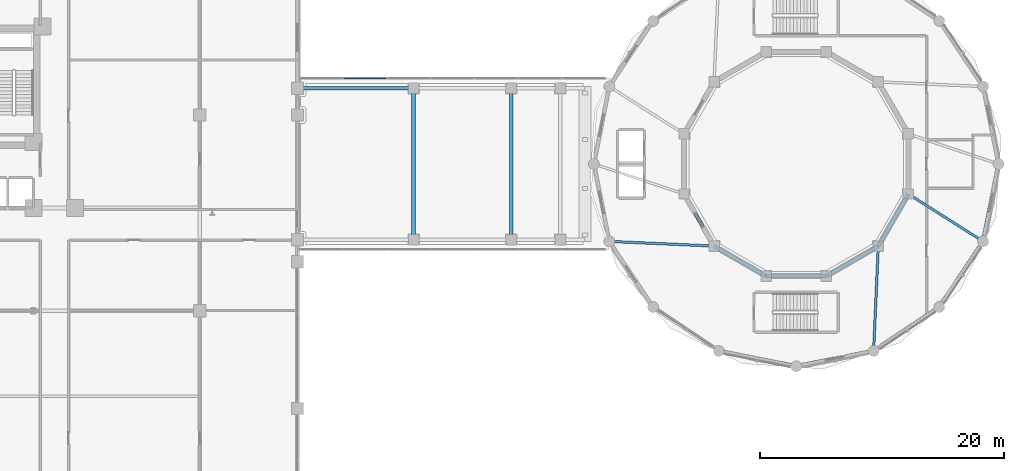
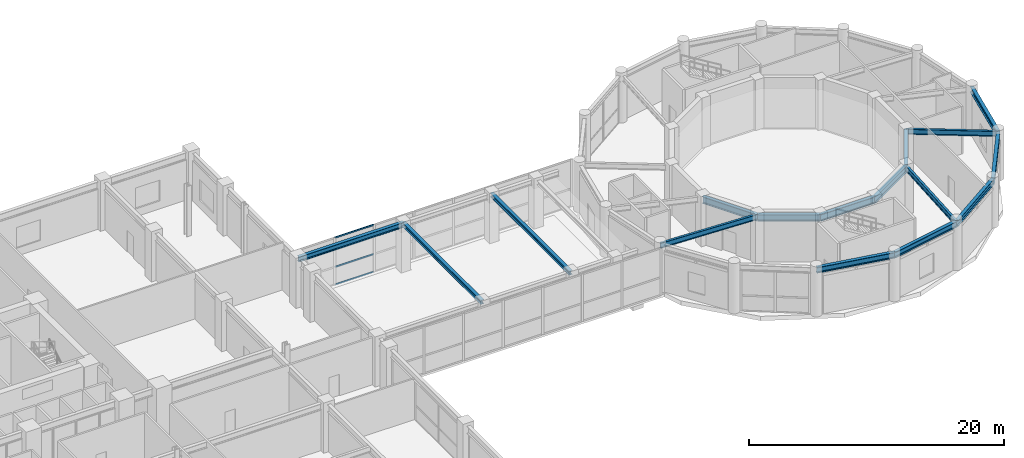
# One storey, part 24 of 48: 16 beams, 3 members, 1 element without a shape of its own.
"""IFC4 building model written with IfcOpenShell, lengths in metres."""

import ifcopenshell
import ifcopenshell.guid

model = None  # the IFC model being written
_history = None  # IfcOwnerHistory: only IFC2X3 demands one
_inside = {}  # id of a spatial element -> (the spatial element, [elements in it])
_under = {}  # id of a project, library or spatial element -> (it, [spatial elements below it])
_declared = {}  # id of a project -> (the project, [libraries it declares])
_typed = {}  # id of a type object -> (the type object, [elements of that type])
_made_of = {}  # id of a material, layer set ... -> (it, [elements and type objects made of it])


def new_model(schema):
    """Start an empty IFC model of exactly this schema.

    Asked for "IFC4X3", IfcOpenShell would pick the latest addendum, in which some entities
    have other attributes; the version numbers below select the first issue.
    IFC2X3 requires an IfcOwnerHistory on every rooted entity: one is made here for all.
    """
    global model, _history
    if schema == "IFC4X3":
        model = ifcopenshell.file(schema_version=(4, 3, 0, 0))
    else:
        model = ifcopenshell.file(schema=schema)
    _inside.clear()
    _under.clear()
    _declared.clear()
    _typed.clear()
    _made_of.clear()
    _history = None
    if model.schema == "IFC2X3":
        org = make("IfcOrganization", Name="unknown")
        user = make(
            "IfcPersonAndOrganization",
            ThePerson=make("IfcPerson", FamilyName="unknown"),
            TheOrganization=org,
        )
        app = make(
            "IfcApplication",
            ApplicationDeveloper=org,
            Version="unknown",
            ApplicationFullName="unknown",
            ApplicationIdentifier="unknown",
        )
        _history = make(
            "IfcOwnerHistory",
            OwningUser=user,
            OwningApplication=app,
            ChangeAction="ADDED",
            CreationDate=0,
        )
    return model


def make(cls, **values):
    """One entity of the class cls with the attributes given. An attribute that is None is left unset."""
    return model.create_entity(
        cls, **{name: value for name, value in values.items() if value is not None}
    )


def rooted(cls, **values):
    """An entity with a GlobalId (a new one), such as an element, a storey or a relation."""
    return make(cls, GlobalId=ifcopenshell.guid.new(), OwnerHistory=_history, **values)


def si_unit(unit_type, name, prefix=None):
    """IfcSIUnit, for example si_unit("LENGTHUNIT", "METRE", prefix="MILLI")."""
    return make("IfcSIUnit", UnitType=unit_type, Prefix=prefix, Name=name)


def derived_unit(unit_type, elements):
    """IfcDerivedUnit: a product of units, each with its exponent."""
    return make(
        "IfcDerivedUnit",
        Elements=[
            make("IfcDerivedUnitElement", Unit=unit, Exponent=power)
            for unit, power in elements
        ],
        UnitType=unit_type,
    )


def assignment(units):
    """IfcUnitAssignment: the units of a project."""
    return None if units is None else make("IfcUnitAssignment", Units=units)


def point(xyz):
    """IfcCartesianPoint."""
    return None if xyz is None else make("IfcCartesianPoint", Coordinates=xyz)


def direction(xyz):
    """IfcDirection."""
    return None if xyz is None else make("IfcDirection", DirectionRatios=xyz)


def frame(location, z_axis=None, x_axis=None):
    """IfcAxis2Placement3D, a coordinate frame: its origin and axes. An axis left out is left unset."""
    return make(
        "IfcAxis2Placement3D",
        Location=point(location),
        Axis=direction(z_axis),
        RefDirection=direction(x_axis),
    )


def frame_2d(location, x_axis=None):
    """IfcAxis2Placement2D, a coordinate frame in the plane: its origin and x axis."""
    return make(
        "IfcAxis2Placement2D", Location=point(location), RefDirection=direction(x_axis)
    )


def origin():
    """The frame at (0, 0, 0) with its axes left unset."""
    return frame((0.0, 0.0, 0.0))


def origin_2d():
    """The frame at (0, 0) in the plane with its x axis left unset."""
    return frame_2d((0.0, 0.0))


def place(relative_to, where):
    """IfcLocalPlacement: puts the frame where relative to a parent placement (None: the world)."""
    return make(
        "IfcLocalPlacement", PlacementRelTo=relative_to, RelativePlacement=where
    )


def context(
    kind, dimensions, precision=None, world=None, true_north=None, identifier=None
):
    """IfcGeometricRepresentationContext, for example the 3D "Model" context."""
    return make(
        "IfcGeometricRepresentationContext",
        ContextIdentifier=identifier,
        ContextType=kind,
        CoordinateSpaceDimension=dimensions,
        Precision=precision,
        WorldCoordinateSystem=world,
        TrueNorth=true_north,
    )


def subcontext(parent, identifier, kind, view, scale=None):
    """IfcGeometricRepresentationSubContext, for example "Body" below "Model"."""
    return make(
        "IfcGeometricRepresentationSubContext",
        ContextIdentifier=identifier,
        ContextType=kind,
        ParentContext=parent,
        TargetScale=scale,
        TargetView=view,
    )


def project(units=None, contexts=None):
    """IfcProject with its units and contexts."""
    return rooted(
        "IfcProject",
        Name="project",
        RepresentationContexts=contexts,
        UnitsInContext=assignment(units),
    )


def spatial(cls, under=None, at=None, **own):
    """A site, building, storey or space (cls), placed at a placement, below another one or the project."""
    s = rooted(cls, ObjectPlacement=at, **own)
    if under is not None:
        _under.setdefault(under.id(), (under, []))[1].append(s)
    return s


def profile(cls, at=None, kind="AREA", **sizes):
    """A parametric profile (cls). Its sizes go by their IFC names, for example OverallWidth=200.0."""
    return make(cls, ProfileType=kind, Position=at, **sizes)


def hollow_rectangle(**sizes):
    """IfcRectangleHollowProfileDef."""
    return profile("IfcRectangleHollowProfileDef", **sizes)


def i_section(**sizes):
    """IfcIShapeProfileDef."""
    return profile("IfcIShapeProfileDef", **sizes)


def extrude(swept, where, along, depth):
    """IfcExtrudedAreaSolid: the profile swept, set in the frame where, extruded along a direction by depth."""
    return make(
        "IfcExtrudedAreaSolid",
        SweptArea=swept,
        Position=where,
        ExtrudedDirection=direction(along),
        Depth=depth,
    )


def shape(context_of_items, identifier, shape_type, items):
    """IfcShapeRepresentation: the items that make up one representation, for example the "Body"."""
    return make(
        "IfcShapeRepresentation",
        ContextOfItems=context_of_items,
        RepresentationIdentifier=identifier,
        RepresentationType=shape_type,
        Items=items,
    )


def source(mapping_origin, context_of_items, identifier, shape_type, items):
    """IfcRepresentationMap: a shape defined once, which mapped items show again and again."""
    return make(
        "IfcRepresentationMap",
        MappingOrigin=mapping_origin,
        MappedRepresentation=shape(context_of_items, identifier, shape_type, items),
    )


def transform(
    local_origin,
    x_axis=None,
    y_axis=None,
    z_axis=None,
    scale=None,
    scale2=None,
    scale3=None,
    uniform=True,
):
    """IfcCartesianTransformationOperator3D, or its non-uniform kind. x_axis, y_axis, z_axis: its Axis1, 2, 3."""
    if uniform:
        return make(
            "IfcCartesianTransformationOperator3D",
            Axis1=direction(x_axis),
            Axis2=direction(y_axis),
            LocalOrigin=point(local_origin),
            Scale=scale,
            Axis3=direction(z_axis),
        )
    return make(
        "IfcCartesianTransformationOperator3DnonUniform",
        Axis1=direction(x_axis),
        Axis2=direction(y_axis),
        LocalOrigin=point(local_origin),
        Scale=scale,
        Axis3=direction(z_axis),
        Scale2=scale2,
        Scale3=scale3,
    )


def mapped(mapping_source, mapping_target):
    """IfcMappedItem: shows the shape of a source again, moved by a transform."""
    return make(
        "IfcMappedItem", MappingSource=mapping_source, MappingTarget=mapping_target
    )


def material(Name=None, Category=None):
    """IfcMaterial."""
    return make("IfcMaterial", Name=Name, Category=Category)


def layer(
    of_material, thickness, ventilated=None, Name=None, Category=None, Priority=None
):
    """IfcMaterialLayer: one layer of a wall or slab, of a material (None: an air gap)."""
    return make(
        "IfcMaterialLayer",
        Material=of_material,
        LayerThickness=thickness,
        IsVentilated=ventilated,
        Name=Name,
        Category=Category,
        Priority=Priority,
    )


def layer_set(layers, Name=None):
    """IfcMaterialLayerSet."""
    return make("IfcMaterialLayerSet", MaterialLayers=layers, LayerSetName=Name)


def material_profile(
    of_material, cross_section, Name=None, Category=None, Priority=None
):
    """IfcMaterialProfile: a cross section and its material."""
    return make(
        "IfcMaterialProfile",
        Name=Name,
        Material=of_material,
        Profile=cross_section,
        Priority=Priority,
        Category=Category,
    )


def profile_set(profiles, Name=None, composite=None):
    """IfcMaterialProfileSet."""
    return make(
        "IfcMaterialProfileSet",
        Name=Name,
        MaterialProfiles=profiles,
        CompositeProfile=composite,
    )


def made_of(thing, what):
    """Note that an element or type object is made of a material, layer set ...; save() writes the relation."""
    if what is not None:
        _made_of.setdefault(what.id(), (what, []))[1].append(thing)
    return thing


def type_object(cls, material=None, **own):
    """A type object (cls), such as IfcWallType, which elements share."""
    return made_of(rooted(cls, **own), material)


def element(
    cls,
    number,
    at=None,
    inside=None,
    cuts=None,
    type_object=None,
    material=None,
    context=None,
    identifier="Body",
    shape_type=None,
    held_by="IfcProductDefinitionShape",
    body=None,
    shapes=None,
    **own,
):
    """One element of the class cls, such as IfcWall. Its Tag is "e" and its number.

    at: its placement. inside: the storey or other place that contains it. cuts: it is an
    opening in that element (IfcRelVoidsElement). A single representation is given by context,
    identifier, shape_type and body (its items); several are given by shapes. held_by: the class
    of the entity that holds the representations. save() writes the other relations.
    """
    e = rooted(cls, Tag="e%d" % number, ObjectPlacement=at, **own)
    if body is not None:
        shapes = [shape(context, identifier, shape_type, body)]
    if shapes is not None:
        e.Representation = make(held_by, Representations=shapes)
    if inside is not None:
        _inside.setdefault(inside.id(), (inside, []))[1].append(e)
    if cuts is not None:
        rooted(
            "IfcRelVoidsElement", RelatingBuildingElement=cuts, RelatedOpeningElement=e
        )
    if type_object is not None:
        _typed.setdefault(type_object.id(), (type_object, []))[1].append(e)
    return made_of(e, material)


def aggregate(whole, parts):
    """IfcRelAggregates: a whole, such as a stair, and the parts it consists of."""
    return rooted("IfcRelAggregates", RelatingObject=whole, RelatedObjects=parts)


def save(model, path):
    """Write the relations noted so far, then the file.

    IfcRelAggregates (storeys below a building ...), IfcRelContainedInSpatialStructure (elements
    in a storey), IfcRelDefinesByType, IfcRelAssociatesMaterial and IfcRelDeclares: one each for
    every whole, place, type object, material and project.
    """
    for whole, parts in _under.values():
        aggregate(whole, parts)
    for where, things in _inside.values():
        rooted(
            "IfcRelContainedInSpatialStructure",
            RelatedElements=things,
            RelatingStructure=where,
        )
    for kind, things in _typed.values():
        rooted("IfcRelDefinesByType", RelatedObjects=things, RelatingType=kind)
    for what, things in _made_of.values():
        rooted("IfcRelAssociatesMaterial", RelatedObjects=things, RelatingMaterial=what)
    for by, libraries in _declared.values():
        rooted("IfcRelDeclares", RelatingContext=by, RelatedDefinitions=libraries)
    model.write(path)


model = new_model("IFC4")

# Units and contexts
model_context = context("Model", 3, precision=1e-05, world=origin(), true_north=direction((0.0, 1.0)))
body_context = subcontext(model_context, "Body", "Model", "MODEL_VIEW")
ifc_project = project(units=[si_unit("LENGTHUNIT", "METRE"), si_unit("AREAUNIT", "SQUARE_METRE"), si_unit("VOLUMEUNIT", "CUBIC_METRE"), si_unit("PLANEANGLEUNIT", "RADIAN"), si_unit("MASSUNIT", "GRAM", prefix="KILO"), derived_unit("THERMALTRANSMITTANCEUNIT", [(si_unit("POWERUNIT", "WATT"), 1), (si_unit("LENGTHUNIT", "METRE"), -2), (si_unit("THERMODYNAMICTEMPERATUREUNIT", "KELVIN"), -1)])], contexts=[model_context])

# Site, building, storey
site_placement = place(None, origin())
site = spatial("IfcSite", under=ifc_project, at=site_placement, CompositionType="ELEMENT")
building_placement = place(site_placement, origin())
building = spatial("IfcBuilding", under=site, at=building_placement, Name="Korsvarv Bourse and Concert Hall", CompositionType="ELEMENT")
storey_placement = place(building_placement, frame((0.0, 0.0, 4.800048828125)))
storey = spatial("IfcBuildingStorey", under=building, at=storey_placement, Name="L01", CompositionType="ELEMENT", Elevation=4.800048828125)

# Beams
ifc_material_1 = material(Name="Steel S355", Category="steel")
ifc_material_profile_1 = material_profile(ifc_material_1, i_section(OverallWidth=0.300048828125, OverallDepth=0.489990234375, WebThickness=0.011962890625, FlangeThickness=0.02294921875, FilletRadius=0.02392578125, at=origin_2d()), Name="HEA 500")
ifc_profile_set_1 = profile_set([ifc_material_profile_1], Name="Steel S355")
beam_type_1 = type_object("IfcBeamType", Name="BM-HEA500", PredefinedType="BEAM", material=ifc_profile_set_1)
shared_shape_1 = source(origin(), body_context, "Body", "SweptSolid", [
    extrude(i_section(OverallWidth=0.300048828125, OverallDepth=0.489990234375, WebThickness=0.011962890625, FlangeThickness=0.02294921875, FilletRadius=0.02392578125, at=origin_2d()), origin(), (0.0, 0.0, 1.0), 9.5),
])
beam_1_placement = place(storey_placement, frame((66.0, 42.199951171875, 4.294921875), z_axis=(1.0, 0.0, 0.0), x_axis=(0.0, 1.0, 0.0)))
element("IfcBeam", 1, at=beam_1_placement, inside=storey, type_object=beam_type_1, Name="L01 beam B-10", PredefinedType="BEAM", context=body_context, shape_type="MappedRepresentation", body=[
    mapped(shared_shape_1, transform((0.0, 0.0, 0.0), scale=1.0)),
])
ifc_material_profile_2 = material_profile(ifc_material_1, i_section(OverallWidth=0.300048828125, OverallDepth=0.389892578125, WebThickness=0.010986328125, FlangeThickness=0.01904296875, FilletRadius=0.02099609375, at=origin_2d()), Name="HEA 400")
ifc_profile_set_2 = profile_set([ifc_material_profile_2], Name="Steel S355")
beam_type_2 = type_object("IfcBeamType", Name="BM-HEA400", PredefinedType="BEAM", material=ifc_profile_set_2)
shared_shape_2 = source(origin(), body_context, "Body", "SweptSolid", [
    extrude(i_section(OverallWidth=0.300048828125, OverallDepth=0.389892578125, WebThickness=0.010986328125, FlangeThickness=0.01904296875, FilletRadius=0.02099609375, at=origin_2d()), origin(), (0.0, 0.0, 1.0), 12.39990234375),
])
for number, where, z_axis, x_axis, name in (
    (2, (75.5, 29.800048828125, 4.344970703125), (0.0, 1.0, 0.0), (-1.0, 0.0, 0.0), "L01 beam B-11"),
    (3, (83.5, 29.800048828125, 4.344970703125), (0.0, 1.0, 0.0), (-1.0, 0.0, 0.0), "L01 beam B-11"),
):
    element("IfcBeam", number, at=place(storey_placement, frame(where, z_axis=z_axis, x_axis=x_axis)), inside=storey, type_object=beam_type_2, Name=name, PredefinedType="BEAM", context=body_context, shape_type="MappedRepresentation", body=[
        mapped(shared_shape_2, transform((0.0, 0.0, 0.0), scale=1.0)),
    ])
ifc_material_profile_3 = material_profile(ifc_material_1, i_section(OverallWidth=0.300048828125, OverallDepth=0.550048828125, WebThickness=0.014892578125, FlangeThickness=0.029052734375, FilletRadius=0.02392578125, at=origin_2d()), Name="HEB 550")
ifc_profile_set_3 = profile_set([ifc_material_profile_3], Name="Steel S355")
beam_type_3 = type_object("IfcBeamType", Name="BM-HEB550", PredefinedType="BEAM", material=ifc_profile_set_3)
shared_shape_3 = source(origin(), body_context, "Body", "SweptSolid", [
    extrude(i_section(OverallWidth=0.300048828125, OverallDepth=0.550048828125, WebThickness=0.014892578125, FlangeThickness=0.029052734375, FilletRadius=0.02392578125, at=origin_2d()), origin(), (0.0, 0.0, 1.0), 6.45751953125),
])
for number, where, z_axis, x_axis, name in (
    (4, (100.466552734375, 20.709716796875, 4.224853515625), (0.980786616034, -0.195083607229, 0.0), (0.195083607229, 0.980786616034, 0.0), "L01 beam B-06"),
    (5, (122.090087890625, 29.66650390625, 4.224853515625), (0.195119974887, 0.980779381615, 0.0), (-0.980779381615, 0.195119974887, 0.0), "L01 beam B-06"),
):
    element("IfcBeam", number, at=place(storey_placement, frame(where, z_axis=z_axis, x_axis=x_axis)), inside=storey, type_object=beam_type_3, Name=name, PredefinedType="BEAM", context=body_context, shape_type="MappedRepresentation", body=[
        mapped(shared_shape_3, transform((0.0, 0.0, 0.0), scale=1.0)),
    ])
shared_shape_4 = source(origin(), body_context, "Body", "SweptSolid", [
    extrude(i_section(OverallWidth=0.300048828125, OverallDepth=0.550048828125, WebThickness=0.014892578125, FlangeThickness=0.029052734375, FilletRadius=0.02392578125, at=origin_2d()), origin(), (0.0, 0.0, 1.0), 6.457275390625),
])
for number, where, z_axis, x_axis, name in (
    (6, (106.800048828125, 19.449951171875, 4.224853515625), (0.980785177113, 0.19509084129, 0.0), (-0.19509084129, 0.980785177113, 0.0), "L01 beam B-06"),
    (7, (118.502685546875, 24.29736328125, 4.224853515625), (0.555554952257, 0.831479822379, 0.0), (-0.831479822379, 0.555554952257, 0.0), "L01 beam B-06"),
):
    element("IfcBeam", number, at=place(storey_placement, frame(where, z_axis=z_axis, x_axis=x_axis)), inside=storey, type_object=beam_type_3, Name=name, PredefinedType="BEAM", context=body_context, shape_type="MappedRepresentation", body=[
        mapped(shared_shape_4, transform((0.0, 0.0, 0.0), scale=1.0)),
    ])
shared_shape_5 = source(origin(), body_context, "Body", "SweptSolid", [
    extrude(i_section(OverallWidth=0.300048828125, OverallDepth=0.550048828125, WebThickness=0.014892578125, FlangeThickness=0.029052734375, FilletRadius=0.02392578125, at=origin_2d()), origin(), (0.0, 0.0, 1.0), 6.457763671875),
])
beam_2_placement = place(storey_placement, frame((113.13330078125, 20.709716796875, 4.224853515625), z_axis=(0.831474026951, 0.555563625974, 0.0), x_axis=(-0.555563625974, 0.831474026951, 0.0)))
element("IfcBeam", 8, at=beam_2_placement, inside=storey, type_object=beam_type_3, Name="L01 beam B-06", PredefinedType="BEAM", context=body_context, shape_type="MappedRepresentation", body=[
    mapped(shared_shape_5, transform((0.0, 0.0, 0.0), scale=1.0)),
])
ifc_material_profile_4 = material_profile(ifc_material_1, i_section(OverallWidth=0.300048828125, OverallDepth=0.64990234375, WebThickness=0.01611328125, FlangeThickness=0.031005859375, FilletRadius=0.027099609375, at=origin_2d()), Name="HEB 650")
ifc_profile_set_4 = profile_set([ifc_material_profile_4], Name="Steel S355")
beam_type_4 = type_object("IfcBeamType", Name="BM-HEB650", PredefinedType="BEAM", material=ifc_profile_set_4)
shared_shape_6 = source(origin(), body_context, "Body", "SweptSolid", [
    extrude(i_section(OverallWidth=0.300048828125, OverallDepth=0.64990234375, WebThickness=0.01611328125, FlangeThickness=0.031005859375, FilletRadius=0.027099609375, at=origin_2d()), origin(), (0.0, 0.0, 1.0), 4.91748046875),
])
for number, where, z_axis, x_axis, name in (
    (9, (97.623779296875, 33.541259765625, 4.175048828125), (0.499988900423, -0.866031812033, 0.0), (0.866031812033, 0.499988900423, 0.0), "L01 beam B-04"),
    (10, (100.08251953125, 29.282470703125, 4.175048828125), (0.866031812033, -0.499988900423, 0.0), (0.499988900423, 0.866031812033, 0.0), "L01 beam B-04"),
    (11, (104.34130859375, 26.82373046875, 4.175048828125), (1.0, 0.0, 0.0), (0.0, 1.0, 0.0), "L01 beam B-04"),
    (12, (109.2587890625, 26.82373046875, 4.175048828125), (0.866031812033, 0.499988900423, 0.0), (-0.499988900423, 0.866031812033, 0.0), "L01 beam B-04"),
    (13, (113.517578125, 29.282470703125, 4.175048828125), (0.499988900423, 0.866031812033, 0.0), (-0.866031812033, 0.499988900423, 0.0), "L01 beam B-04"),
):
    element("IfcBeam", number, at=place(storey_placement, frame(where, z_axis=z_axis, x_axis=x_axis)), inside=storey, type_object=beam_type_4, Name=name, PredefinedType="BEAM", context=body_context, shape_type="MappedRepresentation", body=[
        mapped(shared_shape_6, transform((0.0, 0.0, 0.0), scale=1.0)),
    ])
ifc_material_profile_5 = material_profile(ifc_material_1, i_section(OverallWidth=0.199951171875, OverallDepth=0.5, WebThickness=0.01025390625, FlangeThickness=0.01611328125, FilletRadius=0.02099609375, at=origin_2d()), Name="IPE 500")
ifc_profile_set_5 = profile_set([ifc_material_profile_5], Name="Steel S355")
beam_type_5 = type_object("IfcBeamType", Name="BM-IPE500", PredefinedType="JOIST", material=ifc_profile_set_5)
shared_shape_7 = source(origin(), body_context, "Body", "SweptSolid", [
    extrude(i_section(OverallWidth=0.199951171875, OverallDepth=0.5, WebThickness=0.01025390625, FlangeThickness=0.01611328125, FilletRadius=0.02099609375, at=origin_2d()), origin(), (0.0, 0.0, 1.0), 8.581298828125),
])
for number, where, z_axis, x_axis, name in (
    (14, (100.08251953125, 29.282470703125, 4.25), (-0.998998124412, 0.044752066119, 0.0), (-0.044752066119, -0.998998124412, 0.0), "L01 beam J-03"),
    (15, (113.517578125, 29.282470703125, 4.25), (-0.044780459224, -0.998996852083, 0.0), (0.998996852083, -0.044780459224, 0.0), "L01 beam J-03"),
):
    element("IfcBeam", number, at=place(storey_placement, frame(where, z_axis=z_axis, x_axis=x_axis)), inside=storey, type_object=beam_type_5, Name=name, PredefinedType="JOIST", context=body_context, shape_type="MappedRepresentation", body=[
        mapped(shared_shape_7, transform((0.0, 0.0, 0.0), scale=1.0)),
    ])
shared_shape_8 = source(origin(), body_context, "Body", "SweptSolid", [
    extrude(i_section(OverallWidth=0.199951171875, OverallDepth=0.5, WebThickness=0.01025390625, FlangeThickness=0.01611328125, FilletRadius=0.02099609375, at=origin_2d()), origin(), (0.0, 0.0, 1.0), 7.23828125),
])
beam_3_placement = place(storey_placement, frame((115.976318359375, 33.541259765625, 4.25), z_axis=(0.844650306569, -0.5353184656, 0.0), x_axis=(0.5353184656, 0.844650306569, 0.0)))
element("IfcBeam", 16, at=beam_3_placement, inside=storey, type_object=beam_type_5, Name="L01 beam J-03", PredefinedType="JOIST", context=body_context, shape_type="MappedRepresentation", body=[
    mapped(shared_shape_8, transform((0.0, 0.0, 0.0), scale=1.0)),
])

# Curtain wall, members
ifc_material_2 = material(Name="Anodised aluminium and triple low-E glazing", Category="glass")
ifc_layer = layer(ifc_material_2, 0.239990234375)
ifc_layer_set = layer_set([ifc_layer], Name="Anodised aluminium and triple low-E glazing")
curtain_wall_type = type_object("IfcCurtainWallType", Name="CW-SYS-5", PredefinedType="NOTDEFINED", material=ifc_layer_set)
curtain_wall_placement = place(storey_placement, origin())
curtain_wall = element("IfcCurtainWall", 17, at=curtain_wall_placement, inside=storey, type_object=curtain_wall_type, Name="L01 CW5 curtain wall CW-L01-LKN", PredefinedType="NOTDEFINED")
ifc_material_3 = material(Name="Extruded aluminium EN AW-6063 T66", Category="aluminium")
ifc_material_profile_6 = material_profile(ifc_material_3, hollow_rectangle(XDim=0.06494140625, YDim=0.139892578125, WallThickness=0.00390625, at=origin_2d()), Name="ALU-T 65x140")
ifc_profile_set_6 = profile_set([ifc_material_profile_6], Name="Extruded aluminium EN AW-6063 T66")
member_type = type_object("IfcMemberType", Name="CWT-140", PredefinedType="USERDEFINED", material=ifc_profile_set_6)
shared_shape_9 = source(origin(), body_context, "Body", "SweptSolid", [
    extrude(hollow_rectangle(XDim=0.06494140625, YDim=0.139892578125, WallThickness=0.00390625, at=origin_2d()), origin(), (0.0, 0.0, 1.0), 3.510009765625),
])
member_1_placement = place(storey_placement, frame((69.77490234375, 43.0, 0.032470703125), z_axis=(1.0, 0.0, 0.0), x_axis=(0.0, 1.0, 0.0)))
member_1 = element("IfcMember", 18, at=member_1_placement, type_object=member_type, Name="CW5 transom 2.1", ObjectType="TRANSOM", PredefinedType="USERDEFINED", context=body_context, shape_type="MappedRepresentation", body=[
    mapped(shared_shape_9, transform((0.0, 0.0, 0.0), scale=1.0)),
])
member_2_placement = place(storey_placement, frame((69.77490234375, 43.0, 1.72509765625), z_axis=(1.0, 0.0, 0.0), x_axis=(0.0, 1.0, 0.0)))
member_2 = element("IfcMember", 19, at=member_2_placement, type_object=member_type, Name="CW5 transom 2.2", ObjectType="TRANSOM", PredefinedType="USERDEFINED", context=body_context, shape_type="MappedRepresentation", body=[
    mapped(shared_shape_9, transform((0.0, 0.0, 0.0), scale=1.0)),
])
member_3_placement = place(storey_placement, frame((69.77490234375, 43.0, 4.507568359375), z_axis=(1.0, 0.0, 0.0), x_axis=(0.0, 1.0, 0.0)))
member_3 = element("IfcMember", 20, at=member_3_placement, type_object=member_type, Name="CW5 transom 2.3", ObjectType="TRANSOM", PredefinedType="USERDEFINED", context=body_context, shape_type="MappedRepresentation", body=[
    mapped(shared_shape_9, transform((0.0, 0.0, 0.0), scale=1.0)),
])
aggregate(curtain_wall, [member_1, member_2, member_3])

save(model, "model.ifc")
